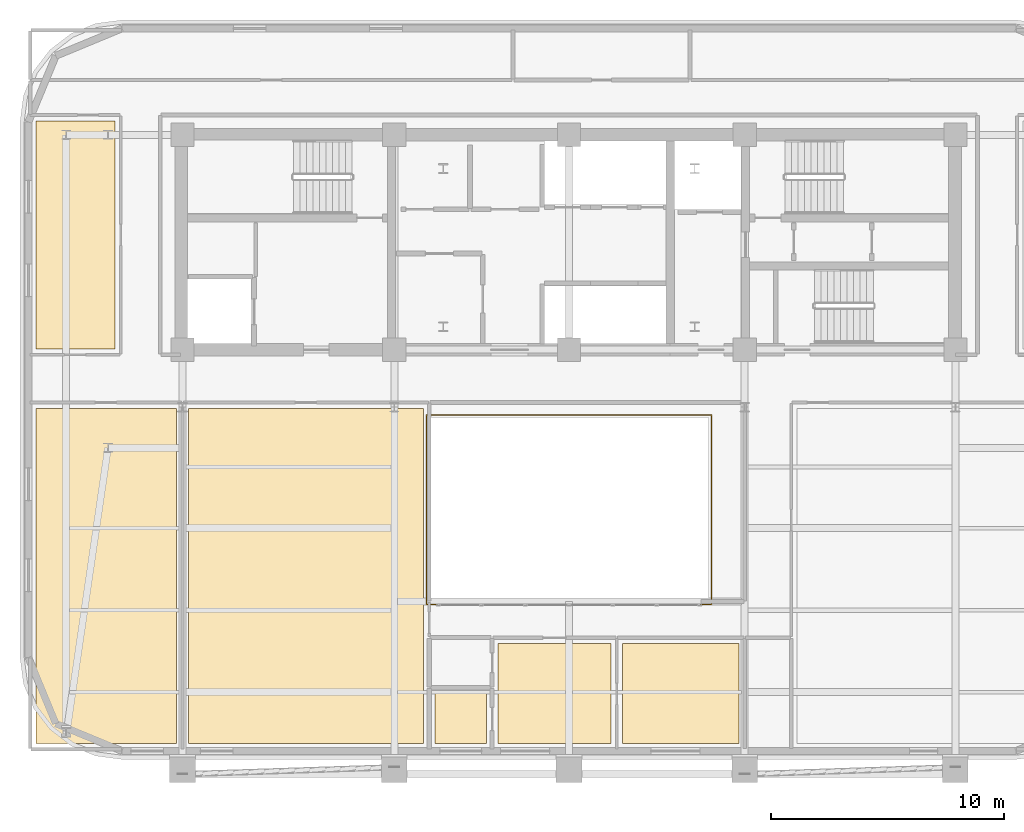
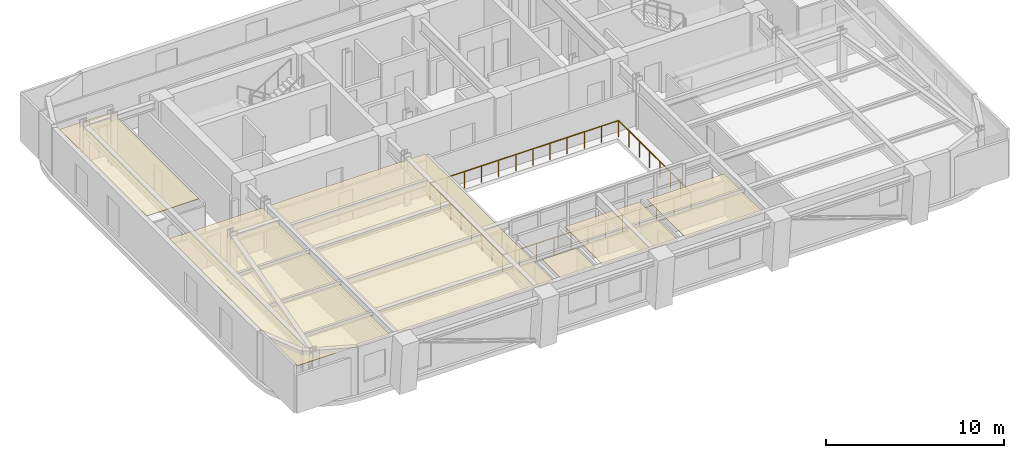
# One storey, part 10 of 13: 6 coverings, 1 railing.
"""IFC4 building model written with IfcOpenShell, lengths in metres."""

import ifcopenshell
import ifcopenshell.guid

model = None  # the IFC model being written
_history = None  # IfcOwnerHistory: only IFC2X3 demands one
_inside = {}  # id of a spatial element -> (the spatial element, [elements in it])
_under = {}  # id of a project, library or spatial element -> (it, [spatial elements below it])
_declared = {}  # id of a project -> (the project, [libraries it declares])
_typed = {}  # id of a type object -> (the type object, [elements of that type])
_made_of = {}  # id of a material, layer set ... -> (it, [elements and type objects made of it])


def new_model(schema):
    """Start an empty IFC model of exactly this schema.

    Asked for "IFC4X3", IfcOpenShell would pick the latest addendum, in which some entities
    have other attributes; the version numbers below select the first issue.
    IFC2X3 requires an IfcOwnerHistory on every rooted entity: one is made here for all.
    """
    global model, _history
    if schema == "IFC4X3":
        model = ifcopenshell.file(schema_version=(4, 3, 0, 0))
    else:
        model = ifcopenshell.file(schema=schema)
    _inside.clear()
    _under.clear()
    _declared.clear()
    _typed.clear()
    _made_of.clear()
    _history = None
    if model.schema == "IFC2X3":
        org = make("IfcOrganization", Name="unknown")
        user = make(
            "IfcPersonAndOrganization",
            ThePerson=make("IfcPerson", FamilyName="unknown"),
            TheOrganization=org,
        )
        app = make(
            "IfcApplication",
            ApplicationDeveloper=org,
            Version="unknown",
            ApplicationFullName="unknown",
            ApplicationIdentifier="unknown",
        )
        _history = make(
            "IfcOwnerHistory",
            OwningUser=user,
            OwningApplication=app,
            ChangeAction="ADDED",
            CreationDate=0,
        )
    return model


def make(cls, **values):
    """One entity of the class cls with the attributes given. An attribute that is None is left unset."""
    return model.create_entity(
        cls, **{name: value for name, value in values.items() if value is not None}
    )


def rooted(cls, **values):
    """An entity with a GlobalId (a new one), such as an element, a storey or a relation."""
    return make(cls, GlobalId=ifcopenshell.guid.new(), OwnerHistory=_history, **values)


def si_unit(unit_type, name, prefix=None):
    """IfcSIUnit, for example si_unit("LENGTHUNIT", "METRE", prefix="MILLI")."""
    return make("IfcSIUnit", UnitType=unit_type, Prefix=prefix, Name=name)


def assignment(units):
    """IfcUnitAssignment: the units of a project."""
    return None if units is None else make("IfcUnitAssignment", Units=units)


def point(xyz):
    """IfcCartesianPoint."""
    return None if xyz is None else make("IfcCartesianPoint", Coordinates=xyz)


def direction(xyz):
    """IfcDirection."""
    return None if xyz is None else make("IfcDirection", DirectionRatios=xyz)


def frame(location, z_axis=None, x_axis=None):
    """IfcAxis2Placement3D, a coordinate frame: its origin and axes. An axis left out is left unset."""
    return make(
        "IfcAxis2Placement3D",
        Location=point(location),
        Axis=direction(z_axis),
        RefDirection=direction(x_axis),
    )


def frame_2d(location, x_axis=None):
    """IfcAxis2Placement2D, a coordinate frame in the plane: its origin and x axis."""
    return make(
        "IfcAxis2Placement2D", Location=point(location), RefDirection=direction(x_axis)
    )


def origin():
    """The frame at (0, 0, 0) with its axes left unset."""
    return frame((0.0, 0.0, 0.0))


def origin_2d():
    """The frame at (0, 0) in the plane with its x axis left unset."""
    return frame_2d((0.0, 0.0))


def place(relative_to, where):
    """IfcLocalPlacement: puts the frame where relative to a parent placement (None: the world)."""
    return make(
        "IfcLocalPlacement", PlacementRelTo=relative_to, RelativePlacement=where
    )


def context(
    kind, dimensions, precision=None, world=None, true_north=None, identifier=None
):
    """IfcGeometricRepresentationContext, for example the 3D "Model" context."""
    return make(
        "IfcGeometricRepresentationContext",
        ContextIdentifier=identifier,
        ContextType=kind,
        CoordinateSpaceDimension=dimensions,
        Precision=precision,
        WorldCoordinateSystem=world,
        TrueNorth=true_north,
    )


def subcontext(parent, identifier, kind, view, scale=None):
    """IfcGeometricRepresentationSubContext, for example "Body" below "Model"."""
    return make(
        "IfcGeometricRepresentationSubContext",
        ContextIdentifier=identifier,
        ContextType=kind,
        ParentContext=parent,
        TargetScale=scale,
        TargetView=view,
    )


def project(units=None, contexts=None):
    """IfcProject with its units and contexts."""
    return rooted(
        "IfcProject",
        Name="project",
        RepresentationContexts=contexts,
        UnitsInContext=assignment(units),
    )


def spatial(cls, under=None, at=None, **own):
    """A site, building, storey or space (cls), placed at a placement, below another one or the project."""
    s = rooted(cls, ObjectPlacement=at, **own)
    if under is not None:
        _under.setdefault(under.id(), (under, []))[1].append(s)
    return s


def polyline(points):
    """IfcPolyline through the points."""
    return make("IfcPolyline", Points=[point(p) for p in points])


def profile(cls, at=None, kind="AREA", **sizes):
    """A parametric profile (cls). Its sizes go by their IFC names, for example OverallWidth=200.0."""
    return make(cls, ProfileType=kind, Position=at, **sizes)


def rectangle(**sizes):
    """IfcRectangleProfileDef."""
    return profile("IfcRectangleProfileDef", **sizes)


def outline(outer, holes=None, kind="AREA"):
    """IfcArbitraryClosedProfileDef: a profile drawn as a closed curve; with holes, ...WithVoids."""
    if holes is None:
        return make("IfcArbitraryClosedProfileDef", ProfileType=kind, OuterCurve=outer)
    return make(
        "IfcArbitraryProfileDefWithVoids",
        ProfileType=kind,
        OuterCurve=outer,
        InnerCurves=holes,
    )


def extrude(swept, where, along, depth):
    """IfcExtrudedAreaSolid: the profile swept, set in the frame where, extruded along a direction by depth."""
    return make(
        "IfcExtrudedAreaSolid",
        SweptArea=swept,
        Position=where,
        ExtrudedDirection=direction(along),
        Depth=depth,
    )


def shape(context_of_items, identifier, shape_type, items):
    """IfcShapeRepresentation: the items that make up one representation, for example the "Body"."""
    return make(
        "IfcShapeRepresentation",
        ContextOfItems=context_of_items,
        RepresentationIdentifier=identifier,
        RepresentationType=shape_type,
        Items=items,
    )


def material(Name=None, Category=None):
    """IfcMaterial."""
    return make("IfcMaterial", Name=Name, Category=Category)


def layer(
    of_material, thickness, ventilated=None, Name=None, Category=None, Priority=None
):
    """IfcMaterialLayer: one layer of a wall or slab, of a material (None: an air gap)."""
    return make(
        "IfcMaterialLayer",
        Material=of_material,
        LayerThickness=thickness,
        IsVentilated=ventilated,
        Name=Name,
        Category=Category,
        Priority=Priority,
    )


def layer_set(layers, Name=None):
    """IfcMaterialLayerSet."""
    return make("IfcMaterialLayerSet", MaterialLayers=layers, LayerSetName=Name)


def made_of(thing, what):
    """Note that an element or type object is made of a material, layer set ...; save() writes the relation."""
    if what is not None:
        _made_of.setdefault(what.id(), (what, []))[1].append(thing)
    return thing


def type_object(cls, material=None, **own):
    """A type object (cls), such as IfcWallType, which elements share."""
    return made_of(rooted(cls, **own), material)


def element(
    cls,
    number,
    at=None,
    inside=None,
    cuts=None,
    type_object=None,
    material=None,
    context=None,
    identifier="Body",
    shape_type=None,
    held_by="IfcProductDefinitionShape",
    body=None,
    shapes=None,
    **own,
):
    """One element of the class cls, such as IfcWall. Its Tag is "e" and its number.

    at: its placement. inside: the storey or other place that contains it. cuts: it is an
    opening in that element (IfcRelVoidsElement). A single representation is given by context,
    identifier, shape_type and body (its items); several are given by shapes. held_by: the class
    of the entity that holds the representations. save() writes the other relations.
    """
    e = rooted(cls, Tag="e%d" % number, ObjectPlacement=at, **own)
    if body is not None:
        shapes = [shape(context, identifier, shape_type, body)]
    if shapes is not None:
        e.Representation = make(held_by, Representations=shapes)
    if inside is not None:
        _inside.setdefault(inside.id(), (inside, []))[1].append(e)
    if cuts is not None:
        rooted(
            "IfcRelVoidsElement", RelatingBuildingElement=cuts, RelatedOpeningElement=e
        )
    if type_object is not None:
        _typed.setdefault(type_object.id(), (type_object, []))[1].append(e)
    return made_of(e, material)


def aggregate(whole, parts):
    """IfcRelAggregates: a whole, such as a stair, and the parts it consists of."""
    return rooted("IfcRelAggregates", RelatingObject=whole, RelatedObjects=parts)


def save(model, path):
    """Write the relations noted so far, then the file.

    IfcRelAggregates (storeys below a building ...), IfcRelContainedInSpatialStructure (elements
    in a storey), IfcRelDefinesByType, IfcRelAssociatesMaterial and IfcRelDeclares: one each for
    every whole, place, type object, material and project.
    """
    for whole, parts in _under.values():
        aggregate(whole, parts)
    for where, things in _inside.values():
        rooted(
            "IfcRelContainedInSpatialStructure",
            RelatedElements=things,
            RelatingStructure=where,
        )
    for kind, things in _typed.values():
        rooted("IfcRelDefinesByType", RelatedObjects=things, RelatingType=kind)
    for what, things in _made_of.values():
        rooted("IfcRelAssociatesMaterial", RelatedObjects=things, RelatingMaterial=what)
    for by, libraries in _declared.values():
        rooted("IfcRelDeclares", RelatingContext=by, RelatedDefinitions=libraries)
    model.write(path)


model = new_model("IFC4")

# Units and contexts
model_context = context("Model", 3, precision=1e-05, world=origin(), true_north=direction((0.0, 1.0)))
body_context = subcontext(model_context, "Body", "Model", "MODEL_VIEW")
ifc_project = project(units=[si_unit("LENGTHUNIT", "METRE"), si_unit("AREAUNIT", "SQUARE_METRE"), si_unit("VOLUMEUNIT", "CUBIC_METRE"), si_unit("PLANEANGLEUNIT", "RADIAN"), si_unit("MASSUNIT", "GRAM", prefix="KILO")], contexts=[model_context])

# Site, building, storey
site_placement = place(None, origin())
site = spatial("IfcSite", under=ifc_project, at=site_placement, CompositionType="ELEMENT")
building_placement = place(site_placement, origin())
building = spatial("IfcBuilding", under=site, at=building_placement, Name="Zarnavel Station Tower", CompositionType="ELEMENT")
storey_placement = place(building_placement, frame((0.0, 0.0, 180.300048828125)))
storey = spatial("IfcBuildingStorey", under=building, at=storey_placement, Name="L49", CompositionType="ELEMENT", Elevation=180.300048828125)

# Coverings
ifc_material_1 = material(Name="Perforated Gypsum and Mineral-Wool Acoustic Ceiling", Category="concrete")
ifc_layer = layer(ifc_material_1, 0.0400390625)
ifc_layer_set = layer_set([ifc_layer], Name="COV_CEIL_ACOUSTIC")
covering_type = type_object("IfcCoveringType", Name="COV_CEIL_ACOUSTIC", PredefinedType="CEILING", material=ifc_layer_set)
covering_1_placement = place(storey_placement, frame((0.0, 0.0, 2.969970703125)))
element("IfcCovering", 1, at=covering_1_placement, inside=storey, type_object=covering_type, Name="L49 FNW Acoustic Ceiling", PredefinedType="CEILING", context=body_context, shape_type="SweptSolid", body=[
    extrude(outline(polyline([(5.909912109375, 27.85009765625), (9.300048828125, 27.85009765625), (9.300048828125, 37.64990234375), (5.909912109375, 37.64990234375), (5.909912109375, 27.85009765625)])), origin(), (0.0, 0.0, 1.0), 0.0400390625),
])
covering_2_placement = place(storey_placement, frame((0.0, 0.0, 2.969970703125)))
element("IfcCovering", 2, at=covering_2_placement, inside=storey, type_object=covering_type, Name="L49 L49CIN Acoustic Ceiling", PredefinedType="CEILING", context=body_context, shape_type="SweptSolid", body=[
    extrude(outline(polyline([(5.909912109375, 10.909912109375), (11.949951171875, 10.909912109375), (11.949951171875, 25.300048828125), (5.909912109375, 25.300048828125), (5.909912109375, 10.909912109375)])), origin(), (0.0, 0.0, 1.0), 0.0400390625),
])
covering_3_placement = place(storey_placement, frame((0.0, 0.0, 2.969970703125)))
element("IfcCovering", 3, at=covering_3_placement, inside=storey, type_object=covering_type, Name="L49 L49GAM Acoustic Ceiling", PredefinedType="CEILING", context=body_context, shape_type="SweptSolid", body=[
    extrude(outline(polyline([(12.449951171875, 10.909912109375), (22.550048828125, 10.909912109375), (22.550048828125, 25.300048828125), (12.449951171875, 25.300048828125), (12.449951171875, 10.909912109375)])), origin(), (0.0, 0.0, 1.0), 0.0400390625),
])
covering_4_placement = place(storey_placement, frame((0.0, 0.0, 2.969970703125)))
element("IfcCovering", 4, at=covering_4_placement, inside=storey, type_object=covering_type, Name="L49 US1LV Acoustic Ceiling", PredefinedType="CEILING", context=body_context, shape_type="SweptSolid", body=[
    extrude(outline(polyline([(25.75, 10.909912109375), (30.60009765625, 10.909912109375), (30.60009765625, 15.199951171875), (25.75, 15.199951171875), (25.75, 10.909912109375)])), origin(), (0.0, 0.0, 1.0), 0.0400390625),
])
covering_5_placement = place(storey_placement, frame((0.0, 0.0, 2.969970703125)))
element("IfcCovering", 5, at=covering_5_placement, inside=storey, type_object=covering_type, Name="L49 US1KT Acoustic Ceiling", PredefinedType="CEILING", context=body_context, shape_type="SweptSolid", body=[
    extrude(outline(polyline([(23.050048828125, 10.909912109375), (25.25, 10.909912109375), (25.25, 13.050048828125), (23.050048828125, 13.050048828125), (23.050048828125, 10.909912109375)])), origin(), (0.0, 0.0, 1.0), 0.0400390625),
])
covering_6_placement = place(storey_placement, frame((0.0, 0.0, 2.969970703125)))
element("IfcCovering", 6, at=covering_6_placement, inside=storey, type_object=covering_type, Name="L49 US1B1 Acoustic Ceiling", PredefinedType="CEILING", context=body_context, shape_type="SweptSolid", body=[
    extrude(outline(polyline([(31.10009765625, 10.909912109375), (36.10009765625, 10.909912109375), (36.10009765625, 15.199951171875), (31.10009765625, 15.199951171875), (31.10009765625, 10.909912109375)])), origin(), (0.0, 0.0, 1.0), 0.0400390625),
])

# Railing
ifc_material_2 = material(Name="Painted Steel S355J2 Balustrade", Category="steel")
railing_type = type_object("IfcRailingType", Name="GR_INT_1150", PredefinedType="GUARDRAIL", material=ifc_material_2)
railing_placement = place(storey_placement, frame((22.679931640625, 16.8798828125, 0.0)))
element("IfcRailing", 7, at=railing_placement, inside=storey, type_object=railing_type, Name="L49 Atrium Void Guardrail", PredefinedType="GUARDRAIL", context=body_context, shape_type="SweptSolid", body=[
    extrude(rectangle(XDim=0.048095703125, YDim=0.048095703125, at=origin_2d()), frame((0.001953125, 0.0, 1.1259765625), z_axis=(1.0, 0.0, 0.0), x_axis=(0.0, 1.0, 0.0)), (0.0, 0.0, 1.0), 12.236083984375),
    extrude(rectangle(XDim=0.048095703125, YDim=0.048095703125, at=origin_2d()), frame((12.239990234375, 0.001953125, 1.1259765625), z_axis=(0.0, 1.0, 0.0), x_axis=(-1.0, 0.0, 0.0)), (0.0, 0.0, 1.0), 8.13623046875),
    extrude(rectangle(XDim=0.048095703125, YDim=0.048095703125, at=origin_2d()), frame((12.238037109375, 8.14013671875, 1.1259765625), z_axis=(-1.0, 0.0, 0.0), x_axis=(0.0, -1.0, 0.0)), (0.0, 0.0, 1.0), 12.236083984375),
    extrude(rectangle(XDim=0.048095703125, YDim=0.048095703125, at=origin_2d()), frame((0.0, 8.13818359375, 1.1259765625), z_axis=(0.0, -1.0, 0.0), x_axis=(1.0, 0.0, 0.0)), (0.0, 0.0, 1.0), 8.13623046875),
    extrude(rectangle(XDim=0.0419921875, YDim=0.0419921875, at=origin_2d()), origin(), (0.0, 0.0, 1.0), 1.101806640625),
    extrude(rectangle(XDim=0.0419921875, YDim=0.0419921875, at=origin_2d()), frame((1.11279296875, 0.0, 0.0)), (0.0, 0.0, 1.0), 1.101806640625),
    extrude(rectangle(XDim=0.0419921875, YDim=0.0419921875, at=origin_2d()), frame((2.225341796875, 0.0, 0.0)), (0.0, 0.0, 1.0), 1.101806640625),
    extrude(rectangle(XDim=0.0419921875, YDim=0.0419921875, at=origin_2d()), frame((3.338134765625, 0.0, 0.0)), (0.0, 0.0, 1.0), 1.101806640625),
    extrude(rectangle(XDim=0.0419921875, YDim=0.0419921875, at=origin_2d()), frame((4.450927734375, 0.0, 0.0)), (0.0, 0.0, 1.0), 1.101806640625),
    extrude(rectangle(XDim=0.0419921875, YDim=0.0419921875, at=origin_2d()), frame((5.563720703125, 0.0, 0.0)), (0.0, 0.0, 1.0), 1.101806640625),
    extrude(rectangle(XDim=0.0419921875, YDim=0.0419921875, at=origin_2d()), frame((6.67626953125, 0.0, 0.0)), (0.0, 0.0, 1.0), 1.101806640625),
    extrude(rectangle(XDim=0.0419921875, YDim=0.0419921875, at=origin_2d()), frame((7.7890625, 0.0, 0.0)), (0.0, 0.0, 1.0), 1.101806640625),
    extrude(rectangle(XDim=0.0419921875, YDim=0.0419921875, at=origin_2d()), frame((8.90185546875, 0.0, 0.0)), (0.0, 0.0, 1.0), 1.101806640625),
    extrude(rectangle(XDim=0.0419921875, YDim=0.0419921875, at=origin_2d()), frame((10.0146484375, 0.0, 0.0)), (0.0, 0.0, 1.0), 1.101806640625),
    extrude(rectangle(XDim=0.0419921875, YDim=0.0419921875, at=origin_2d()), frame((11.127197265625, 0.0, 0.0)), (0.0, 0.0, 1.0), 1.101806640625),
    extrude(rectangle(XDim=0.0419921875, YDim=0.0419921875, at=origin_2d()), frame((12.239990234375, 0.0, 0.0)), (0.0, 0.0, 1.0), 1.101806640625),
    extrude(rectangle(XDim=0.0419921875, YDim=0.0419921875, at=origin_2d()), frame((12.239990234375, 1.162841796875, 0.0)), (0.0, 0.0, 1.0), 1.101806640625),
    extrude(rectangle(XDim=0.0419921875, YDim=0.0419921875, at=origin_2d()), frame((12.239990234375, 2.32568359375, 0.0)), (0.0, 0.0, 1.0), 1.101806640625),
    extrude(rectangle(XDim=0.0419921875, YDim=0.0419921875, at=origin_2d()), frame((12.239990234375, 3.488525390625, 0.0)), (0.0, 0.0, 1.0), 1.101806640625),
    extrude(rectangle(XDim=0.0419921875, YDim=0.0419921875, at=origin_2d()), frame((12.239990234375, 4.651611328125, 0.0)), (0.0, 0.0, 1.0), 1.101806640625),
    extrude(rectangle(XDim=0.0419921875, YDim=0.0419921875, at=origin_2d()), frame((12.239990234375, 5.814453125, 0.0)), (0.0, 0.0, 1.0), 1.101806640625),
    extrude(rectangle(XDim=0.0419921875, YDim=0.0419921875, at=origin_2d()), frame((12.239990234375, 6.977294921875, 0.0)), (0.0, 0.0, 1.0), 1.101806640625),
    extrude(rectangle(XDim=0.0419921875, YDim=0.0419921875, at=origin_2d()), frame((12.239990234375, 8.14013671875, 0.0)), (0.0, 0.0, 1.0), 1.101806640625),
    extrude(rectangle(XDim=0.0419921875, YDim=0.0419921875, at=origin_2d()), frame((11.127197265625, 8.14013671875, 0.0)), (0.0, 0.0, 1.0), 1.101806640625),
    extrude(rectangle(XDim=0.0419921875, YDim=0.0419921875, at=origin_2d()), frame((10.0146484375, 8.14013671875, 0.0)), (0.0, 0.0, 1.0), 1.101806640625),
    extrude(rectangle(XDim=0.0419921875, YDim=0.0419921875, at=origin_2d()), frame((8.90185546875, 8.14013671875, 0.0)), (0.0, 0.0, 1.0), 1.101806640625),
    extrude(rectangle(XDim=0.0419921875, YDim=0.0419921875, at=origin_2d()), frame((7.7890625, 8.14013671875, 0.0)), (0.0, 0.0, 1.0), 1.101806640625),
    extrude(rectangle(XDim=0.0419921875, YDim=0.0419921875, at=origin_2d()), frame((6.67626953125, 8.14013671875, 0.0)), (0.0, 0.0, 1.0), 1.101806640625),
    extrude(rectangle(XDim=0.0419921875, YDim=0.0419921875, at=origin_2d()), frame((5.563720703125, 8.14013671875, 0.0)), (0.0, 0.0, 1.0), 1.101806640625),
    extrude(rectangle(XDim=0.0419921875, YDim=0.0419921875, at=origin_2d()), frame((4.450927734375, 8.14013671875, 0.0)), (0.0, 0.0, 1.0), 1.101806640625),
    extrude(rectangle(XDim=0.0419921875, YDim=0.0419921875, at=origin_2d()), frame((3.338134765625, 8.14013671875, 0.0)), (0.0, 0.0, 1.0), 1.101806640625),
    extrude(rectangle(XDim=0.0419921875, YDim=0.0419921875, at=origin_2d()), frame((2.225341796875, 8.14013671875, 0.0)), (0.0, 0.0, 1.0), 1.101806640625),
    extrude(rectangle(XDim=0.0419921875, YDim=0.0419921875, at=origin_2d()), frame((1.11279296875, 8.14013671875, 0.0)), (0.0, 0.0, 1.0), 1.101806640625),
    extrude(rectangle(XDim=0.0419921875, YDim=0.0419921875, at=origin_2d()), frame((0.0, 8.14013671875, 0.0)), (0.0, 0.0, 1.0), 1.101806640625),
    extrude(rectangle(XDim=0.0419921875, YDim=0.0419921875, at=origin_2d()), frame((0.0, 6.977294921875, 0.0)), (0.0, 0.0, 1.0), 1.101806640625),
    extrude(rectangle(XDim=0.0419921875, YDim=0.0419921875, at=origin_2d()), frame((0.0, 5.814453125, 0.0)), (0.0, 0.0, 1.0), 1.101806640625),
    extrude(rectangle(XDim=0.0419921875, YDim=0.0419921875, at=origin_2d()), frame((0.0, 4.651611328125, 0.0)), (0.0, 0.0, 1.0), 1.101806640625),
    extrude(rectangle(XDim=0.0419921875, YDim=0.0419921875, at=origin_2d()), frame((0.0, 3.488525390625, 0.0)), (0.0, 0.0, 1.0), 1.101806640625),
    extrude(rectangle(XDim=0.0419921875, YDim=0.0419921875, at=origin_2d()), frame((0.0, 2.32568359375, 0.0)), (0.0, 0.0, 1.0), 1.101806640625),
    extrude(rectangle(XDim=0.0419921875, YDim=0.0419921875, at=origin_2d()), frame((0.0, 1.162841796875, 0.0)), (0.0, 0.0, 1.0), 1.101806640625),
])

save(model, "model.ifc")
